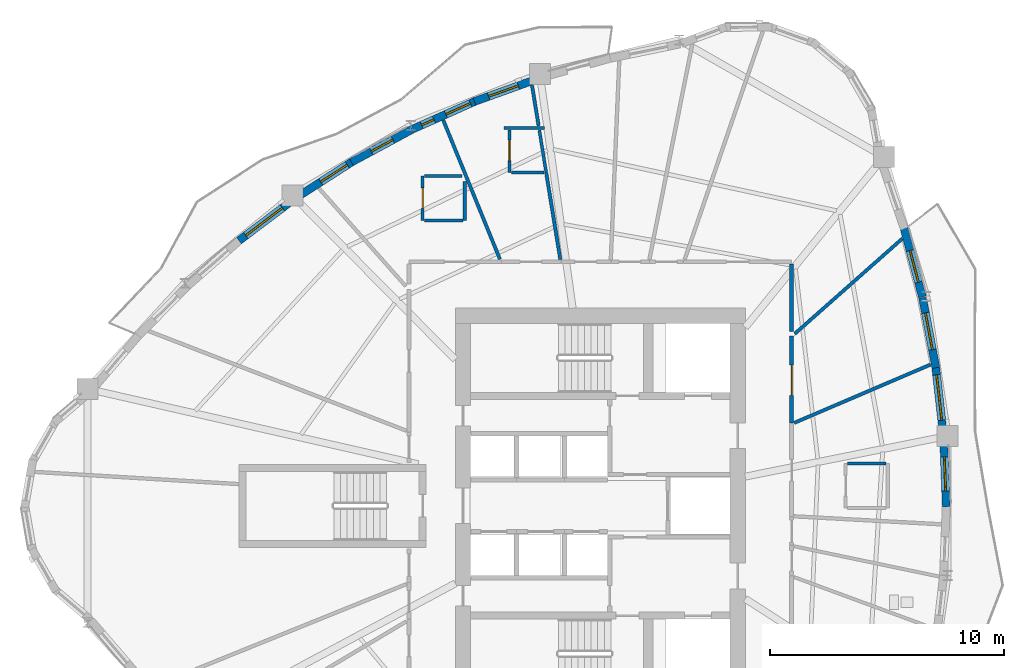
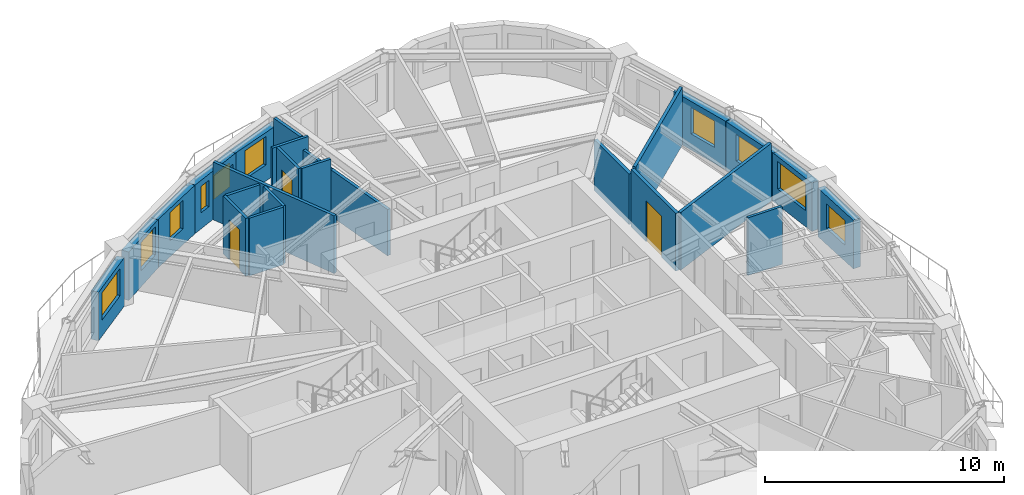
# One storey, part 8 of 13: 25 walls, 10 windows, 3 doors, 13 openings.
"""IFC4 building model written with IfcOpenShell, lengths in metres."""

import ifcopenshell
import ifcopenshell.guid

model = None  # the IFC model being written
_history = None  # IfcOwnerHistory: only IFC2X3 demands one
_inside = {}  # id of a spatial element -> (the spatial element, [elements in it])
_under = {}  # id of a project, library or spatial element -> (it, [spatial elements below it])
_declared = {}  # id of a project -> (the project, [libraries it declares])
_typed = {}  # id of a type object -> (the type object, [elements of that type])
_made_of = {}  # id of a material, layer set ... -> (it, [elements and type objects made of it])


def new_model(schema):
    """Start an empty IFC model of exactly this schema.

    Asked for "IFC4X3", IfcOpenShell would pick the latest addendum, in which some entities
    have other attributes; the version numbers below select the first issue.
    IFC2X3 requires an IfcOwnerHistory on every rooted entity: one is made here for all.
    """
    global model, _history
    if schema == "IFC4X3":
        model = ifcopenshell.file(schema_version=(4, 3, 0, 0))
    else:
        model = ifcopenshell.file(schema=schema)
    _inside.clear()
    _under.clear()
    _declared.clear()
    _typed.clear()
    _made_of.clear()
    _history = None
    if model.schema == "IFC2X3":
        org = make("IfcOrganization", Name="unknown")
        user = make(
            "IfcPersonAndOrganization",
            ThePerson=make("IfcPerson", FamilyName="unknown"),
            TheOrganization=org,
        )
        app = make(
            "IfcApplication",
            ApplicationDeveloper=org,
            Version="unknown",
            ApplicationFullName="unknown",
            ApplicationIdentifier="unknown",
        )
        _history = make(
            "IfcOwnerHistory",
            OwningUser=user,
            OwningApplication=app,
            ChangeAction="ADDED",
            CreationDate=0,
        )
    return model


def make(cls, **values):
    """One entity of the class cls with the attributes given. An attribute that is None is left unset."""
    return model.create_entity(
        cls, **{name: value for name, value in values.items() if value is not None}
    )


def rooted(cls, **values):
    """An entity with a GlobalId (a new one), such as an element, a storey or a relation."""
    return make(cls, GlobalId=ifcopenshell.guid.new(), OwnerHistory=_history, **values)


def si_unit(unit_type, name, prefix=None):
    """IfcSIUnit, for example si_unit("LENGTHUNIT", "METRE", prefix="MILLI")."""
    return make("IfcSIUnit", UnitType=unit_type, Prefix=prefix, Name=name)


def assignment(units):
    """IfcUnitAssignment: the units of a project."""
    return None if units is None else make("IfcUnitAssignment", Units=units)


def point(xyz):
    """IfcCartesianPoint."""
    return None if xyz is None else make("IfcCartesianPoint", Coordinates=xyz)


def direction(xyz):
    """IfcDirection."""
    return None if xyz is None else make("IfcDirection", DirectionRatios=xyz)


def frame(location, z_axis=None, x_axis=None):
    """IfcAxis2Placement3D, a coordinate frame: its origin and axes. An axis left out is left unset."""
    return make(
        "IfcAxis2Placement3D",
        Location=point(location),
        Axis=direction(z_axis),
        RefDirection=direction(x_axis),
    )


def frame_2d(location, x_axis=None):
    """IfcAxis2Placement2D, a coordinate frame in the plane: its origin and x axis."""
    return make(
        "IfcAxis2Placement2D", Location=point(location), RefDirection=direction(x_axis)
    )


def origin():
    """The frame at (0, 0, 0) with its axes left unset."""
    return frame((0.0, 0.0, 0.0))


def place(relative_to, where):
    """IfcLocalPlacement: puts the frame where relative to a parent placement (None: the world)."""
    return make(
        "IfcLocalPlacement", PlacementRelTo=relative_to, RelativePlacement=where
    )


def context(
    kind, dimensions, precision=None, world=None, true_north=None, identifier=None
):
    """IfcGeometricRepresentationContext, for example the 3D "Model" context."""
    return make(
        "IfcGeometricRepresentationContext",
        ContextIdentifier=identifier,
        ContextType=kind,
        CoordinateSpaceDimension=dimensions,
        Precision=precision,
        WorldCoordinateSystem=world,
        TrueNorth=true_north,
    )


def subcontext(parent, identifier, kind, view, scale=None):
    """IfcGeometricRepresentationSubContext, for example "Body" below "Model"."""
    return make(
        "IfcGeometricRepresentationSubContext",
        ContextIdentifier=identifier,
        ContextType=kind,
        ParentContext=parent,
        TargetScale=scale,
        TargetView=view,
    )


def project(units=None, contexts=None):
    """IfcProject with its units and contexts."""
    return rooted(
        "IfcProject",
        Name="project",
        RepresentationContexts=contexts,
        UnitsInContext=assignment(units),
    )


def spatial(cls, under=None, at=None, **own):
    """A site, building, storey or space (cls), placed at a placement, below another one or the project."""
    s = rooted(cls, ObjectPlacement=at, **own)
    if under is not None:
        _under.setdefault(under.id(), (under, []))[1].append(s)
    return s


def profile(cls, at=None, kind="AREA", **sizes):
    """A parametric profile (cls). Its sizes go by their IFC names, for example OverallWidth=200.0."""
    return make(cls, ProfileType=kind, Position=at, **sizes)


def rectangle(**sizes):
    """IfcRectangleProfileDef."""
    return profile("IfcRectangleProfileDef", **sizes)


def extrude(swept, where, along, depth):
    """IfcExtrudedAreaSolid: the profile swept, set in the frame where, extruded along a direction by depth."""
    return make(
        "IfcExtrudedAreaSolid",
        SweptArea=swept,
        Position=where,
        ExtrudedDirection=direction(along),
        Depth=depth,
    )


def shape(context_of_items, identifier, shape_type, items):
    """IfcShapeRepresentation: the items that make up one representation, for example the "Body"."""
    return make(
        "IfcShapeRepresentation",
        ContextOfItems=context_of_items,
        RepresentationIdentifier=identifier,
        RepresentationType=shape_type,
        Items=items,
    )


def source(mapping_origin, context_of_items, identifier, shape_type, items):
    """IfcRepresentationMap: a shape defined once, which mapped items show again and again."""
    return make(
        "IfcRepresentationMap",
        MappingOrigin=mapping_origin,
        MappedRepresentation=shape(context_of_items, identifier, shape_type, items),
    )


def transform(
    local_origin,
    x_axis=None,
    y_axis=None,
    z_axis=None,
    scale=None,
    scale2=None,
    scale3=None,
    uniform=True,
):
    """IfcCartesianTransformationOperator3D, or its non-uniform kind. x_axis, y_axis, z_axis: its Axis1, 2, 3."""
    if uniform:
        return make(
            "IfcCartesianTransformationOperator3D",
            Axis1=direction(x_axis),
            Axis2=direction(y_axis),
            LocalOrigin=point(local_origin),
            Scale=scale,
            Axis3=direction(z_axis),
        )
    return make(
        "IfcCartesianTransformationOperator3DnonUniform",
        Axis1=direction(x_axis),
        Axis2=direction(y_axis),
        LocalOrigin=point(local_origin),
        Scale=scale,
        Axis3=direction(z_axis),
        Scale2=scale2,
        Scale3=scale3,
    )


def mapped(mapping_source, mapping_target):
    """IfcMappedItem: shows the shape of a source again, moved by a transform."""
    return make(
        "IfcMappedItem", MappingSource=mapping_source, MappingTarget=mapping_target
    )


def material(Name=None, Category=None):
    """IfcMaterial."""
    return make("IfcMaterial", Name=Name, Category=Category)


def layer(
    of_material, thickness, ventilated=None, Name=None, Category=None, Priority=None
):
    """IfcMaterialLayer: one layer of a wall or slab, of a material (None: an air gap)."""
    return make(
        "IfcMaterialLayer",
        Material=of_material,
        LayerThickness=thickness,
        IsVentilated=ventilated,
        Name=Name,
        Category=Category,
        Priority=Priority,
    )


def layer_set(layers, Name=None):
    """IfcMaterialLayerSet."""
    return make("IfcMaterialLayerSet", MaterialLayers=layers, LayerSetName=Name)


def made_of(thing, what):
    """Note that an element or type object is made of a material, layer set ...; save() writes the relation."""
    if what is not None:
        _made_of.setdefault(what.id(), (what, []))[1].append(thing)
    return thing


def type_object(cls, material=None, **own):
    """A type object (cls), such as IfcWallType, which elements share."""
    return made_of(rooted(cls, **own), material)


def element(
    cls,
    number,
    at=None,
    inside=None,
    cuts=None,
    type_object=None,
    material=None,
    context=None,
    identifier="Body",
    shape_type=None,
    held_by="IfcProductDefinitionShape",
    body=None,
    shapes=None,
    **own,
):
    """One element of the class cls, such as IfcWall. Its Tag is "e" and its number.

    at: its placement. inside: the storey or other place that contains it. cuts: it is an
    opening in that element (IfcRelVoidsElement). A single representation is given by context,
    identifier, shape_type and body (its items); several are given by shapes. held_by: the class
    of the entity that holds the representations. save() writes the other relations.
    """
    e = rooted(cls, Tag="e%d" % number, ObjectPlacement=at, **own)
    if body is not None:
        shapes = [shape(context, identifier, shape_type, body)]
    if shapes is not None:
        e.Representation = make(held_by, Representations=shapes)
    if inside is not None:
        _inside.setdefault(inside.id(), (inside, []))[1].append(e)
    if cuts is not None:
        rooted(
            "IfcRelVoidsElement", RelatingBuildingElement=cuts, RelatedOpeningElement=e
        )
    if type_object is not None:
        _typed.setdefault(type_object.id(), (type_object, []))[1].append(e)
    return made_of(e, material)


def fill(opening, filler):
    """IfcRelFillsElement: the door or window that sits in an opening."""
    return rooted(
        "IfcRelFillsElement",
        RelatingOpeningElement=opening,
        RelatedBuildingElement=filler,
    )


def aggregate(whole, parts):
    """IfcRelAggregates: a whole, such as a stair, and the parts it consists of."""
    return rooted("IfcRelAggregates", RelatingObject=whole, RelatedObjects=parts)


def save(model, path):
    """Write the relations noted so far, then the file.

    IfcRelAggregates (storeys below a building ...), IfcRelContainedInSpatialStructure (elements
    in a storey), IfcRelDefinesByType, IfcRelAssociatesMaterial and IfcRelDeclares: one each for
    every whole, place, type object, material and project.
    """
    for whole, parts in _under.values():
        aggregate(whole, parts)
    for where, things in _inside.values():
        rooted(
            "IfcRelContainedInSpatialStructure",
            RelatedElements=things,
            RelatingStructure=where,
        )
    for kind, things in _typed.values():
        rooted("IfcRelDefinesByType", RelatedObjects=things, RelatingType=kind)
    for what, things in _made_of.values():
        rooted("IfcRelAssociatesMaterial", RelatedObjects=things, RelatingMaterial=what)
    for by, libraries in _declared.values():
        rooted("IfcRelDeclares", RelatingContext=by, RelatedDefinitions=libraries)
    model.write(path)


model = new_model("IFC4")

# Units and contexts
model_context = context("Model", 3, precision=1e-05, world=origin(), true_north=direction((0.0, 1.0)))
body_context = subcontext(model_context, "Body", "Model", "MODEL_VIEW")
ifc_project = project(units=[si_unit("LENGTHUNIT", "METRE"), si_unit("AREAUNIT", "SQUARE_METRE"), si_unit("VOLUMEUNIT", "CUBIC_METRE"), si_unit("PLANEANGLEUNIT", "RADIAN"), si_unit("MASSUNIT", "GRAM", prefix="KILO")], contexts=[model_context])

# Site, building, storey
site_placement = place(None, origin())
site = spatial("IfcSite", under=ifc_project, at=site_placement, CompositionType="ELEMENT")
building_placement = place(site_placement, origin())
building = spatial("IfcBuilding", under=site, at=building_placement, Name="Qafzar Sky-Pleat Residences", CompositionType="ELEMENT")
storey_placement = place(building_placement, frame((0.0, 0.0, 102.39990234375)))
storey = spatial("IfcBuildingStorey", under=building, at=storey_placement, Name="L30", CompositionType="ELEMENT", Elevation=102.39990234375)

# Wall, opening, door
ifc_material_1 = material(Name="Acoustic gypsum plasterboard partition", Category="gypsum")
ifc_layer_1 = layer(ifc_material_1, 0.159912109375)
ifc_layer_set_1 = layer_set([ifc_layer_1], Name="Acoustic gypsum plasterboard partition")
wall_type_1 = type_object("IfcWallType", Name="PART-COR-160", PredefinedType="PARTITIONING", material=ifc_layer_set_1)
wall_1_placement = place(storey_placement, frame((38.530029296875, 33.2548828125, 0.0), z_axis=(0.0, 0.0, 1.0), x_axis=(0.0, -1.0, 0.0)))
wall_1 = element("IfcWall", 1, at=wall_1_placement, inside=storey, type_object=wall_type_1, Name="L30 Partition Wall PART-L30-PW-007", PredefinedType="PARTITIONING", context=body_context, shape_type="SweptSolid", body=[
    extrude(rectangle(XDim=3.725830078125, YDim=0.159912109375, at=frame_2d((1.86279296875, 0.0))), origin(), (0.0, 0.0, 1.0), 2.9501953125),
])
opening_1_placement = place(wall_1_placement, frame((1.238525390625, 0.0, 0.0)))
opening_1 = element("IfcOpeningElement", 2, at=opening_1_placement, cuts=wall_1, Name="Opening ID-05", PredefinedType="OPENING", context=body_context, shape_type="SweptSolid", body=[
    extrude(rectangle(XDim=1.300048828125, YDim=2.10009765625, at=frame_2d((0.64990234375, 1.050048828125))), frame((0.0, 0.08984375, 0.0), z_axis=(0.0, -1.0, 0.0), x_axis=(1.0, 0.0, 0.0)), (0.0, 0.0, 1.0), 0.179931640625),
])
ifc_material_2 = material(Name="Timber-faced fire door", Category="wood")
door_type_1 = type_object("IfcDoorType", Name="DR-LNG-1300", OperationType="DOUBLE_DOOR_SINGLE_SWING", PredefinedType="DOOR", material=ifc_material_2)
shared_shape_1 = source(origin(), body_context, "Body", "SweptSolid", [
    extrude(rectangle(XDim=1.300048828125, YDim=2.10009765625, at=frame_2d((0.64990234375, 1.050048828125))), frame((0.0, 0.02490234375, 0.0), z_axis=(0.0, -1.0, 0.0), x_axis=(1.0, 0.0, 0.0)), (0.0, 0.0, 1.0), 0.050048828125),
])
door_1_placement = place(opening_1_placement, origin())
door_1 = element("IfcDoor", 3, at=door_1_placement, inside=storey, type_object=door_type_1, Name="L30 Communal Kitchen Door", OperationType="DOUBLE_DOOR_SINGLE_SWING", OverallHeight=2.10009765625, OverallWidth=1.300048828125, PredefinedType="DOOR", context=body_context, shape_type="MappedRepresentation", body=[
    mapped(shared_shape_1, transform((0.0, 0.0, 0.0), x_axis=(1.0, 0.0, 0.0), y_axis=(0.0, 1.0, 0.0), z_axis=(0.0, 0.0, 1.0), scale=1.0)),
])
fill(opening_1, door_1)

# Walls
wall_2_placement = place(storey_placement, frame((38.530029296875, 33.445556640625, 0.0), z_axis=(0.0, 0.0, 1.0), x_axis=(0.0, 1.0, 0.0)))
element("IfcWall", 4, at=wall_2_placement, inside=storey, type_object=wall_type_1, Name="L30 Partition Wall PART-L30-PW-051", PredefinedType="PARTITIONING", context=body_context, shape_type="SweptSolid", body=[
    extrude(rectangle(XDim=2.896484375, YDim=0.159912109375, at=frame_2d((1.4482421875, 0.0))), origin(), (0.0, 0.0, 1.0), 2.588134765625),
])
ifc_layer_2 = layer(ifc_material_1, 0.14501953125)
ifc_layer_set_2 = layer_set([ifc_layer_2], Name="Acoustic gypsum plasterboard partition")
wall_type_2 = type_object("IfcWallType", Name="PART-UNIT-145", PredefinedType="PARTITIONING", material=ifc_layer_set_2)
wall_3_placement = place(storey_placement, frame((23.6328125, 42.4931640625, 0.0), z_axis=(0.0, 0.0, 1.0), x_axis=(0.37719666663, -0.926133184096, 0.0)))
element("IfcWall", 5, at=wall_3_placement, inside=storey, type_object=wall_type_2, Name="L30 Partition Wall PART-L30-PW-041", PredefinedType="PARTITIONING", context=body_context, shape_type="SweptSolid", body=[
    extrude(rectangle(XDim=6.422607421875, YDim=0.14501953125, at=frame_2d((3.21142578125, 0.0))), origin(), (0.0, 0.0, 1.0), 2.9501953125),
])
wall_4_placement = place(storey_placement, frame((38.64599609375, 29.54638671875, 0.0), z_axis=(0.0, 0.0, 1.0), x_axis=(0.919441504603, 0.393226804293, 0.0)))
element("IfcWall", 6, at=wall_4_placement, inside=storey, type_object=wall_type_2, Name="L30 Partition Wall PART-L30-PW-042", PredefinedType="PARTITIONING", context=body_context, shape_type="SweptSolid", body=[
    extrude(rectangle(XDim=6.3408203125, YDim=0.14501953125, at=frame_2d((3.17041015625, 0.0))), origin(), (0.0, 0.0, 1.0), 2.9501953125),
])
wall_5_placement = place(storey_placement, frame((38.6640625, 33.3544921875, 0.0), z_axis=(0.0, 0.0, 1.0), x_axis=(0.749069296105, 0.662491652501, 0.0)))
element("IfcWall", 7, at=wall_5_placement, inside=storey, type_object=wall_type_2, Name="L30 Partition Wall PART-L30-PW-046", PredefinedType="PARTITIONING", context=body_context, shape_type="SweptSolid", body=[
    extrude(rectangle(XDim=6.150146484375, YDim=0.14501953125, at=frame_2d((3.0751953125, 0.0))), origin(), (0.0, 0.0, 1.0), 2.9501953125),
])
wall_6_placement = place(storey_placement, frame((28.035888671875, 40.24609375, 0.0), z_axis=(0.0, 0.0, 1.0), x_axis=(0.160412651813, -0.987050039835, 0.0)))
element("IfcWall", 8, at=wall_6_placement, inside=storey, type_object=wall_type_2, Name="L30 Partition Wall PART-L30-PW-048", PredefinedType="PARTITIONING", context=body_context, shape_type="SweptSolid", body=[
    extrude(rectangle(XDim=3.765380859375, YDim=0.14501953125, at=frame_2d((1.8828125, 0.0))), origin(), (0.0, 0.0, 1.0), 2.3681640625),
])
wall_7_placement = place(storey_placement, frame((27.430908203125, 43.97119140625, 0.0), z_axis=(0.0, 0.0, 1.0), x_axis=(0.160707234414, -0.987002119961, 0.0)))
element("IfcWall", 9, at=wall_7_placement, inside=storey, type_object=wall_type_2, Name="L30 Partition Wall PART-L30-PW-060", PredefinedType="PARTITIONING", context=body_context, shape_type="SweptSolid", body=[
    extrude(rectangle(XDim=1.74853515625, YDim=0.14501953125, at=frame_2d((0.874267578125, 0.0))), origin(), (0.0, 0.0, 1.0), 2.9501953125),
])

# Wall, opening, door
ifc_material_3 = material(Name="Moisture-resistant gypsum partition", Category="gypsum")
ifc_layer_3 = layer(ifc_material_3, 0.1298828125)
ifc_layer_set_3 = layer_set([ifc_layer_3], Name="Moisture-resistant gypsum partition")
wall_type_3 = type_object("IfcWallType", Name="PART-WET-130", PredefinedType="PARTITIONING", material=ifc_layer_set_3)
wall_8_placement = place(storey_placement, frame((26.468994140625, 42.072998046875, 0.0), z_axis=(0.0, 0.0, 1.0), x_axis=(0.0, -1.0, 0.0)))
wall_8 = element("IfcWall", 10, at=wall_8_placement, inside=storey, type_object=wall_type_3, Name="L30 Partition Wall PART-L30-PW-022", PredefinedType="PARTITIONING", context=body_context, shape_type="SweptSolid", body=[
    extrude(rectangle(XDim=1.826904296875, YDim=0.1298828125, at=frame_2d((0.91357421875, 0.0))), origin(), (0.0, 0.0, 1.0), 2.9501953125),
])
opening_2_placement = place(wall_8_placement, frame((0.43701171875, 0.0, 0.0)))
opening_2 = element("IfcOpeningElement", 11, at=opening_2_placement, cuts=wall_8, Name="Opening ID-07", PredefinedType="OPENING", context=body_context, shape_type="SweptSolid", body=[
    extrude(rectangle(XDim=0.8798828125, YDim=2.050048828125, at=frame_2d((0.43994140625, 1.02490234375))), frame((0.0, 0.074951171875, 0.0), z_axis=(0.0, -1.0, 0.0), x_axis=(1.0, 0.0, 0.0)), (0.0, 0.0, 1.0), 0.14990234375),
])
door_type_2 = type_object("IfcDoorType", Name="DR-WET-880", OperationType="NOTDEFINED", PredefinedType="DOOR", material=ifc_material_2)
shared_shape_2 = source(origin(), body_context, "Body", "SweptSolid", [
    extrude(rectangle(XDim=0.8798828125, YDim=2.050048828125, at=frame_2d((0.43994140625, 1.02490234375))), frame((0.0, 0.02490234375, 0.0), z_axis=(0.0, -1.0, 0.0), x_axis=(1.0, 0.0, 0.0)), (0.0, 0.0, 1.0), 0.050048828125),
])
door_2_placement = place(opening_2_placement, origin())
door_2 = element("IfcDoor", 12, at=door_2_placement, inside=storey, type_object=door_type_2, Name="L30 En-suite Bathroom 8 Door", OperationType="SINGLE_SWING_RIGHT", OverallHeight=2.050048828125, OverallWidth=0.8798828125, PredefinedType="DOOR", context=body_context, shape_type="MappedRepresentation", body=[
    mapped(shared_shape_2, transform((0.0, 0.0, 0.0), x_axis=(1.0, 0.0, 0.0), y_axis=(0.0, 1.0, 0.0), z_axis=(0.0, 0.0, 1.0), scale=1.0)),
])
fill(opening_2, door_2)

wall_9_placement = place(storey_placement, frame((22.7529296875, 40.10693359375, 0.0), z_axis=(0.0, 0.0, 1.0), x_axis=(0.0, -1.0, 0.0)))
wall_9 = element("IfcWall", 13, at=wall_9_placement, inside=storey, type_object=wall_type_3, Name="L30 Partition Wall PART-L30-PW-023", PredefinedType="PARTITIONING", context=body_context, shape_type="SweptSolid", body=[
    extrude(rectangle(XDim=1.89990234375, YDim=0.1298828125, at=frame_2d((0.949951171875, 0.0))), origin(), (0.0, 0.0, 1.0), 2.9501953125),
])
opening_3_placement = place(wall_9_placement, frame((0.510009765625, 0.0, 0.0)))
opening_3 = element("IfcOpeningElement", 14, at=opening_3_placement, cuts=wall_9, Name="Opening ID-07", PredefinedType="OPENING", context=body_context, shape_type="SweptSolid", body=[
    extrude(rectangle(XDim=0.8798828125, YDim=2.050048828125, at=frame_2d((0.43994140625, 1.02490234375))), frame((0.0, 0.074951171875, 0.0), z_axis=(0.0, -1.0, 0.0), x_axis=(1.0, 0.0, 0.0)), (0.0, 0.0, 1.0), 0.14990234375),
])
door_3_placement = place(opening_3_placement, origin())
door_3 = element("IfcDoor", 15, at=door_3_placement, inside=storey, type_object=door_type_2, Name="L30 En-suite Bathroom 10 Door", OperationType="SINGLE_SWING_LEFT", OverallHeight=2.050048828125, OverallWidth=0.8798828125, PredefinedType="DOOR", context=body_context, shape_type="MappedRepresentation", body=[
    mapped(shared_shape_2, transform((0.0, 0.0, 0.0), x_axis=(1.0, 0.0, 0.0), y_axis=(0.0, 1.0, 0.0), z_axis=(0.0, 0.0, 1.0), scale=1.0)),
])
fill(opening_3, door_3)

# Walls
wall_10_placement = place(storey_placement, frame((27.741455078125, 42.062744140625, 0.0), z_axis=(0.0, 0.0, 1.0), x_axis=(0.160081724147, -0.98710376435, 0.0)))
element("IfcWall", 16, at=wall_10_placement, inside=storey, type_object=wall_type_3, Name="L30 Partition Wall PART-L30-PW-056", PredefinedType="PARTITIONING", context=body_context, shape_type="SweptSolid", body=[
    extrude(rectangle(XDim=1.825439453125, YDim=0.1298828125, at=frame_2d((0.91259765625, 0.0))), origin(), (0.0, 0.0, 1.0), 2.3681640625),
])
wall_11_placement = place(storey_placement, frame((24.552978515625, 38.20703125, 0.0), z_axis=(0.0, 0.0, 1.0), x_axis=(0.0, 1.0, 0.0)))
element("IfcWall", 17, at=wall_11_placement, inside=storey, type_object=wall_type_3, Name="L30 Partition Wall PART-L30-PW-059", PredefinedType="PARTITIONING", context=body_context, shape_type="SweptSolid", body=[
    extrude(rectangle(XDim=1.659912109375, YDim=0.1298828125, at=frame_2d((0.830078125, 0.0))), origin(), (0.0, 0.0, 1.0), 2.9501953125),
])
wall_12_placement = place(storey_placement, frame((40.9150390625, 27.802001953125, 0.0), z_axis=(0.0, 0.0, 1.0), x_axis=(1.0, 0.0, 0.0)))
element("IfcWall", 18, at=wall_12_placement, inside=storey, type_object=wall_type_3, Name="L30 Partition Wall PART-L30-PW-061", PredefinedType="PARTITIONING", context=body_context, shape_type="SweptSolid", body=[
    extrude(rectangle(XDim=1.654052734375, YDim=0.1298828125, at=frame_2d((0.8271484375, 0.0))), origin(), (0.0, 0.0, 1.0), 2.9501953125),
])
wall_13_placement = place(storey_placement, frame((22.825927734375, 40.10693359375, 0.0), z_axis=(0.0, 0.0, 1.0), x_axis=(1.0, 0.0, 0.0)))
element("IfcWall", 19, at=wall_13_placement, inside=storey, type_object=wall_type_3, Name="L30 Partition Wall PART-L30-PW-064", PredefinedType="PARTITIONING", context=body_context, shape_type="SweptSolid", body=[
    extrude(rectangle(XDim=1.6142578125, YDim=0.1298828125, at=frame_2d((0.80712890625, 0.0))), origin(), (0.0, 0.0, 1.0), 2.9501953125),
])
wall_14_placement = place(storey_placement, frame((22.825927734375, 38.20703125, 0.0), z_axis=(0.0, 0.0, 1.0), x_axis=(1.0, 0.0, 0.0)))
element("IfcWall", 20, at=wall_14_placement, inside=storey, type_object=wall_type_3, Name="L30 Partition Wall PART-L30-PW-065", PredefinedType="PARTITIONING", context=body_context, shape_type="SweptSolid", body=[
    extrude(rectangle(XDim=1.654052734375, YDim=0.1298828125, at=frame_2d((0.8271484375, 0.0))), origin(), (0.0, 0.0, 1.0), 2.9501953125),
])
wall_15_placement = place(storey_placement, frame((26.5419921875, 40.24609375, 0.0), z_axis=(0.0, 0.0, 1.0), x_axis=(1.0, 0.0, 0.0)))
element("IfcWall", 21, at=wall_15_placement, inside=storey, type_object=wall_type_3, Name="L30 Partition Wall PART-L30-PW-074", PredefinedType="PARTITIONING", context=body_context, shape_type="SweptSolid", body=[
    extrude(rectangle(XDim=1.402099609375, YDim=0.1298828125, at=frame_2d((0.701171875, 0.0))), origin(), (0.0, 0.0, 1.0), 2.9501953125),
])
wall_16_placement = place(storey_placement, frame((26.22900390625, 42.14599609375, 0.0), z_axis=(0.0, 0.0, 1.0), x_axis=(1.0, 0.0, 0.0)))
element("IfcWall", 22, at=wall_16_placement, inside=storey, type_object=wall_type_3, Name="L30 Partition Wall PART-L30-PW-078", PredefinedType="PARTITIONING", context=body_context, shape_type="SweptSolid", body=[
    extrude(rectangle(XDim=1.739013671875, YDim=0.1298828125, at=frame_2d((0.86962890625, 0.0))), origin(), (0.0, 0.0, 1.0), 2.9501953125),
])

# Wall, opening, window
ifc_material_4 = material(Name="Precast concrete C40/50 with honed Riyadh limestone", Category="concrete")
ifc_layer_4 = layer(ifc_material_4, 0.340087890625)
ifc_layer_set_4 = layer_set([ifc_layer_4], Name="Precast concrete C40/50 with honed Riyadh limestone")
wall_type_4 = type_object("IfcWallType", Name="WALL-EXT-340", PredefinedType="SOLIDWALL", material=ifc_layer_set_4)
wall_17_placement = place(storey_placement, frame((45.14453125, 25.95556640625, 0.0), z_axis=(0.0, 0.0, 1.0), x_axis=(-0.038000333161, 0.9992777265, 0.0)))
wall_17 = element("IfcWall", 23, at=wall_17_placement, inside=storey, type_object=wall_type_4, Name="L30 Limestone Facade Wall 28", PredefinedType="SOLIDWALL", context=body_context, shape_type="SweptSolid", body=[
    extrude(rectangle(XDim=2.794677734375, YDim=0.340087890625, at=frame_2d((1.3974609375, 0.0))), origin(), (0.0, 0.0, 1.0), 2.47998046875),
])
opening_4_placement = place(wall_17_placement, frame((0.677490234375, 0.0, 0.820068359375)))
opening_4 = element("IfcOpeningElement", 24, at=opening_4_placement, cuts=wall_17, Name="Opening WN-15", PredefinedType="OPENING", context=body_context, shape_type="SweptSolid", body=[
    extrude(rectangle(XDim=1.449951171875, YDim=1.25, at=frame_2d((0.72509765625, 0.625))), frame((0.0, 0.18017578125, 0.0), z_axis=(0.0, -1.0, 0.0), x_axis=(1.0, 0.0, 0.0)), (0.0, 0.0, 1.0), 0.360107421875),
])
ifc_material_5 = material(Name="Solar-control low-E glass in bronze aluminium frame", Category="glass")
window_type_1 = type_object("IfcWindowType", Name="WIN-15", PartitioningType="SINGLE_PANEL", PredefinedType="WINDOW", material=ifc_material_5)
shared_shape_3 = source(origin(), body_context, "Body", "SweptSolid", [
    extrude(rectangle(XDim=1.449951171875, YDim=1.25, at=frame_2d((0.72509765625, 0.625))), frame((0.0, 0.030029296875, 0.0), z_axis=(0.0, -1.0, 0.0), x_axis=(1.0, 0.0, 0.0)), (0.0, 0.0, 1.0), 0.06005859375),
])
window_1_placement = place(opening_4_placement, origin())
window_1 = element("IfcWindow", 25, at=window_1_placement, inside=storey, type_object=window_type_1, Name="L30 Punched Facade Window 28", OverallHeight=1.25, OverallWidth=1.449951171875, PartitioningType="SINGLE_PANEL", PredefinedType="WINDOW", context=body_context, shape_type="MappedRepresentation", body=[
    mapped(shared_shape_3, transform((0.0, 0.0, 0.0), x_axis=(1.0, 0.0, 0.0), y_axis=(0.0, 1.0, 0.0), z_axis=(0.0, 0.0, 1.0), scale=1.0)),
])
fill(opening_4, window_1)

wall_18_placement = place(storey_placement, frame((45.00439453125, 29.194091796875, 0.0), z_axis=(0.0, 0.0, 1.0), x_axis=(-0.113223342564, 0.993569562083, 0.0)))
wall_18 = element("IfcWall", 26, at=wall_18_placement, inside=storey, type_object=wall_type_4, Name="L30 Limestone Facade Wall 29", PredefinedType="SOLIDWALL", context=body_context, shape_type="SweptSolid", body=[
    extrude(rectangle(XDim=2.811767578125, YDim=0.340087890625, at=frame_2d((1.40576171875, 0.0))), origin(), (0.0, 0.0, 1.0), 2.47998046875),
])
opening_5_placement = place(wall_18_placement, frame((0.466064453125, 0.0, 0.820068359375)))
opening_5 = element("IfcOpeningElement", 27, at=opening_5_placement, cuts=wall_18, Name="Opening WN-08", PredefinedType="OPENING", context=body_context, shape_type="SweptSolid", body=[
    extrude(rectangle(XDim=1.949951171875, YDim=1.39990234375, at=frame_2d((0.97509765625, 0.699951171875))), frame((0.0, 0.18017578125, 0.0), z_axis=(0.0, -1.0, 0.0), x_axis=(1.0, 0.0, 0.0)), (0.0, 0.0, 1.0), 0.360107421875),
])
window_type_2 = type_object("IfcWindowType", Name="WIN-08", PartitioningType="DOUBLE_PANEL_VERTICAL", PredefinedType="WINDOW", material=ifc_material_5)
shared_shape_4 = source(origin(), body_context, "Body", "SweptSolid", [
    extrude(rectangle(XDim=1.949951171875, YDim=1.39990234375, at=frame_2d((0.97509765625, 0.699951171875))), frame((0.0, 0.030029296875, 0.0), z_axis=(0.0, -1.0, 0.0), x_axis=(1.0, 0.0, 0.0)), (0.0, 0.0, 1.0), 0.06005859375),
])
window_2_placement = place(opening_5_placement, origin())
window_2 = element("IfcWindow", 28, at=window_2_placement, inside=storey, type_object=window_type_2, Name="L30 Punched Facade Window 29", OverallHeight=1.39990234375, OverallWidth=1.949951171875, PartitioningType="SINGLE_PANEL", PredefinedType="WINDOW", context=body_context, shape_type="MappedRepresentation", body=[
    mapped(shared_shape_4, transform((0.0, 0.0, 0.0), x_axis=(1.0, 0.0, 0.0), y_axis=(0.0, 1.0, 0.0), z_axis=(0.0, 0.0, 1.0), scale=1.0)),
])
fill(opening_5, window_2)

wall_19_placement = place(storey_placement, frame((44.699462890625, 31.900146484375, 0.0), z_axis=(0.0, 0.0, 1.0), x_axis=(-0.186689944156, 0.982418884566, 0.0)))
wall_19 = element("IfcWall", 29, at=wall_19_placement, inside=storey, type_object=wall_type_4, Name="L30 Limestone Facade Wall 30", PredefinedType="SOLIDWALL", context=body_context, shape_type="SweptSolid", body=[
    extrude(rectangle(XDim=3.05615234375, YDim=0.340087890625, at=frame_2d((1.528076171875, 0.0))), origin(), (0.0, 0.0, 1.0), 2.47998046875),
])
opening_6_placement = place(wall_19_placement, frame((0.791015625, 0.0, 0.820068359375)))
opening_6 = element("IfcOpeningElement", 30, at=opening_6_placement, cuts=wall_19, Name="Opening WN-09", PredefinedType="OPENING", context=body_context, shape_type="SweptSolid", body=[
    extrude(rectangle(XDim=1.60009765625, YDim=1.35009765625, at=frame_2d((0.800048828125, 0.675048828125))), frame((0.0, 0.18017578125, 0.0), z_axis=(0.0, -1.0, 0.0), x_axis=(1.0, 0.0, 0.0)), (0.0, 0.0, 1.0), 0.360107421875),
])
window_type_3 = type_object("IfcWindowType", Name="WIN-09", PartitioningType="DOUBLE_PANEL_VERTICAL", PredefinedType="WINDOW", material=ifc_material_5)
shared_shape_5 = source(origin(), body_context, "Body", "SweptSolid", [
    extrude(rectangle(XDim=1.60009765625, YDim=1.35009765625, at=frame_2d((0.800048828125, 0.675048828125))), frame((0.0, 0.030029296875, 0.0), z_axis=(0.0, -1.0, 0.0), x_axis=(1.0, 0.0, 0.0)), (0.0, 0.0, 1.0), 0.06005859375),
])
window_3_placement = place(opening_6_placement, origin())
window_3 = element("IfcWindow", 31, at=window_3_placement, inside=storey, type_object=window_type_3, Name="L30 Punched Facade Window 30", OverallHeight=1.35009765625, OverallWidth=1.60009765625, PartitioningType="SINGLE_PANEL", PredefinedType="WINDOW", context=body_context, shape_type="MappedRepresentation", body=[
    mapped(shared_shape_5, transform((0.0, 0.0, 0.0), x_axis=(1.0, 0.0, 0.0), y_axis=(0.0, 1.0, 0.0), z_axis=(0.0, 0.0, 1.0), scale=1.0)),
])
fill(opening_6, window_3)

wall_20_placement = place(storey_placement, frame((44.122802734375, 34.9296875, 0.0), z_axis=(0.0, 0.0, 1.0), x_axis=(-0.257080487516, 0.96638999526, 0.0)))
wall_20 = element("IfcWall", 32, at=wall_20_placement, inside=storey, type_object=wall_type_4, Name="L30 Limestone Facade Wall 31", PredefinedType="SOLIDWALL", context=body_context, shape_type="SweptSolid", body=[
    extrude(rectangle(XDim=3.1064453125, YDim=0.340087890625, at=frame_2d((1.55322265625, 0.0))), origin(), (0.0, 0.0, 1.0), 2.47998046875),
])
opening_7_placement = place(wall_20_placement, frame((0.652099609375, 0.0, 0.820068359375)))
opening_7 = element("IfcOpeningElement", 33, at=opening_7_placement, cuts=wall_20, Name="Opening WN-10", PredefinedType="OPENING", context=body_context, shape_type="SweptSolid", body=[
    extrude(rectangle(XDim=1.39990234375, YDim=1.35009765625, at=frame_2d((0.699951171875, 0.675048828125))), frame((0.0, 0.18017578125, 0.0), z_axis=(0.0, -1.0, 0.0), x_axis=(1.0, 0.0, 0.0)), (0.0, 0.0, 1.0), 0.360107421875),
])
window_type_4 = type_object("IfcWindowType", Name="WIN-10", PartitioningType="SINGLE_PANEL", PredefinedType="WINDOW", material=ifc_material_5)
shared_shape_6 = source(origin(), body_context, "Body", "SweptSolid", [
    extrude(rectangle(XDim=1.39990234375, YDim=1.35009765625, at=frame_2d((0.699951171875, 0.675048828125))), frame((0.0, 0.030029296875, 0.0), z_axis=(0.0, -1.0, 0.0), x_axis=(1.0, 0.0, 0.0)), (0.0, 0.0, 1.0), 0.06005859375),
])
window_4_placement = place(opening_7_placement, origin())
window_4 = element("IfcWindow", 34, at=window_4_placement, inside=storey, type_object=window_type_4, Name="L30 Punched Facade Window 31", OverallHeight=1.35009765625, OverallWidth=1.39990234375, PartitioningType="SINGLE_PANEL", PredefinedType="WINDOW", context=body_context, shape_type="MappedRepresentation", body=[
    mapped(shared_shape_6, transform((0.0, 0.0, 0.0), x_axis=(1.0, 0.0, 0.0), y_axis=(0.0, 1.0, 0.0), z_axis=(0.0, 0.0, 1.0), scale=1.0)),
])
fill(opening_7, window_4)

wall_21_placement = place(storey_placement, frame((27.60302734375, 44.236083984375, 0.0), z_axis=(0.0, 0.0, 1.0), x_axis=(-0.941110715193, -0.33809853852, 0.0)))
wall_21 = element("IfcWall", 35, at=wall_21_placement, inside=storey, type_object=wall_type_4, Name="L30 Limestone Facade Wall 41", PredefinedType="SOLIDWALL", context=body_context, shape_type="SweptSolid", body=[
    extrude(rectangle(XDim=2.798828125, YDim=0.340087890625, at=frame_2d((1.3994140625, 0.0))), origin(), (0.0, 0.0, 1.0), 2.47998046875),
])
opening_8_placement = place(wall_21_placement, frame((0.807373046875, 0.0, 0.820068359375)))
opening_8 = element("IfcOpeningElement", 36, at=opening_8_placement, cuts=wall_21, Name="Opening WN-04", PredefinedType="OPENING", context=body_context, shape_type="SweptSolid", body=[
    extrude(rectangle(XDim=1.35009765625, YDim=1.449951171875, at=frame_2d((0.675048828125, 0.72509765625))), frame((0.0, 0.18017578125, 0.0), z_axis=(0.0, -1.0, 0.0), x_axis=(1.0, 0.0, 0.0)), (0.0, 0.0, 1.0), 0.360107421875),
])
window_type_5 = type_object("IfcWindowType", Name="WIN-04", PartitioningType="SINGLE_PANEL", PredefinedType="WINDOW", material=ifc_material_5)
shared_shape_7 = source(origin(), body_context, "Body", "SweptSolid", [
    extrude(rectangle(XDim=1.35009765625, YDim=1.449951171875, at=frame_2d((0.675048828125, 0.72509765625))), frame((0.0, 0.030029296875, 0.0), z_axis=(0.0, -1.0, 0.0), x_axis=(1.0, 0.0, 0.0)), (0.0, 0.0, 1.0), 0.06005859375),
])
window_5_placement = place(opening_8_placement, origin())
window_5 = element("IfcWindow", 37, at=window_5_placement, inside=storey, type_object=window_type_5, Name="L30 Punched Facade Window 41", OverallHeight=1.449951171875, OverallWidth=1.35009765625, PartitioningType="SINGLE_PANEL", PredefinedType="WINDOW", context=body_context, shape_type="MappedRepresentation", body=[
    mapped(shared_shape_7, transform((0.0, 0.0, 0.0), x_axis=(1.0, 0.0, 0.0), y_axis=(0.0, 1.0, 0.0), z_axis=(0.0, 0.0, 1.0), scale=1.0)),
])
fill(opening_8, window_5)

# Wall, openings, windows
wall_22_placement = place(storey_placement, frame((25.05126953125, 43.32275390625, 0.0), z_axis=(0.0, 0.0, 1.0), x_axis=(-0.913432176814, -0.406990980686, 0.0)))
wall_22 = element("IfcWall", 38, at=wall_22_placement, inside=storey, type_object=wall_type_4, Name="L30 Limestone Facade Wall 42", PredefinedType="SOLIDWALL", context=body_context, shape_type="SweptSolid", body=[
    extrude(rectangle(XDim=2.975341796875, YDim=0.340087890625, at=frame_2d((1.48779296875, 0.0))), origin(), (0.0, 0.0, 1.0), 2.47998046875),
])
opening_9_placement = place(wall_22_placement, frame((0.28125, 0.0, 0.820068359375)))
opening_9 = element("IfcOpeningElement", 39, at=opening_9_placement, cuts=wall_22, Name="Opening WN-16", PredefinedType="OPENING", context=body_context, shape_type="SweptSolid", body=[
    extrude(rectangle(XDim=1.14990234375, YDim=1.199951171875, at=frame_2d((0.574951171875, 0.60009765625))), frame((0.0, 0.18017578125, 0.0), z_axis=(0.0, -1.0, 0.0), x_axis=(1.0, 0.0, 0.0)), (0.0, 0.0, 1.0), 0.360107421875),
])
opening_10_placement = place(wall_22_placement, frame((1.984130859375, 0.0, 0.820068359375)))
opening_10 = element("IfcOpeningElement", 40, at=opening_10_placement, cuts=wall_22, Name="Opening WN-17", PredefinedType="OPENING", context=body_context, shape_type="SweptSolid", body=[
    extrude(rectangle(XDim=0.580078125, YDim=1.35009765625, at=frame_2d((0.2900390625, 0.675048828125))), frame((0.0, 0.18017578125, 0.0), z_axis=(0.0, -1.0, 0.0), x_axis=(1.0, 0.0, 0.0)), (0.0, 0.0, 1.0), 0.360107421875),
])
window_type_6 = type_object("IfcWindowType", Name="WIN-17", PartitioningType="SINGLE_PANEL", PredefinedType="WINDOW", material=ifc_material_5)
shared_shape_8 = source(origin(), body_context, "Body", "SweptSolid", [
    extrude(rectangle(XDim=0.580078125, YDim=1.35009765625, at=frame_2d((0.2900390625, 0.675048828125))), frame((0.0, 0.030029296875, 0.0), z_axis=(0.0, -1.0, 0.0), x_axis=(1.0, 0.0, 0.0)), (0.0, 0.0, 1.0), 0.06005859375),
])
window_6_placement = place(opening_10_placement, origin())
window_6 = element("IfcWindow", 41, at=window_6_placement, inside=storey, type_object=window_type_6, Name="L30 Punched Facade Window 42-2", OverallHeight=1.35009765625, OverallWidth=0.580078125, PartitioningType="SINGLE_PANEL", PredefinedType="WINDOW", context=body_context, shape_type="MappedRepresentation", body=[
    mapped(shared_shape_8, transform((0.0, 0.0, 0.0), x_axis=(1.0, 0.0, 0.0), y_axis=(0.0, 1.0, 0.0), z_axis=(0.0, 0.0, 1.0), scale=1.0)),
])
fill(opening_10, window_6)
window_type_7 = type_object("IfcWindowType", Name="WIN-16", PartitioningType="SINGLE_PANEL", PredefinedType="WINDOW", material=ifc_material_5)
shared_shape_9 = source(origin(), body_context, "Body", "SweptSolid", [
    extrude(rectangle(XDim=1.14990234375, YDim=1.199951171875, at=frame_2d((0.574951171875, 0.60009765625))), frame((0.0, 0.030029296875, 0.0), z_axis=(0.0, -1.0, 0.0), x_axis=(1.0, 0.0, 0.0)), (0.0, 0.0, 1.0), 0.06005859375),
])
window_7_placement = place(opening_9_placement, origin())
window_7 = element("IfcWindow", 42, at=window_7_placement, inside=storey, type_object=window_type_7, Name="L30 Punched Facade Window 42", OverallHeight=1.199951171875, OverallWidth=1.14990234375, PartitioningType="SINGLE_PANEL", PredefinedType="WINDOW", context=body_context, shape_type="MappedRepresentation", body=[
    mapped(shared_shape_9, transform((0.0, 0.0, 0.0), x_axis=(1.0, 0.0, 0.0), y_axis=(0.0, 1.0, 0.0), z_axis=(0.0, 0.0, 1.0), scale=1.0)),
])
fill(opening_9, window_7)

# Wall, opening, window
wall_23_placement = place(storey_placement, frame((22.30908203125, 42.099609375, 0.0), z_axis=(0.0, 0.0, 1.0), x_axis=(-0.880081290793, -0.474823042402, 0.0)))
wall_23 = element("IfcWall", 43, at=wall_23_placement, inside=storey, type_object=wall_type_4, Name="L30 Limestone Facade Wall 43", PredefinedType="SOLIDWALL", context=body_context, shape_type="SweptSolid", body=[
    extrude(rectangle(XDim=2.95849609375, YDim=0.340087890625, at=frame_2d((1.479248046875, 0.0))), origin(), (0.0, 0.0, 1.0), 2.47998046875),
])
opening_11_placement = place(wall_23_placement, frame((0.9443359375, 0.0, 0.820068359375)))
opening_11 = element("IfcOpeningElement", 44, at=opening_11_placement, cuts=wall_23, Name="Opening WN-06", PredefinedType="OPENING", context=body_context, shape_type="SweptSolid", body=[
    extrude(rectangle(XDim=1.050048828125, YDim=1.449951171875, at=frame_2d((0.52490234375, 0.72509765625))), frame((0.0, 0.18017578125, 0.0), z_axis=(0.0, -1.0, 0.0), x_axis=(1.0, 0.0, 0.0)), (0.0, 0.0, 1.0), 0.360107421875),
])
window_type_8 = type_object("IfcWindowType", Name="WIN-06", PartitioningType="SINGLE_PANEL", PredefinedType="WINDOW", material=ifc_material_5)
shared_shape_10 = source(origin(), body_context, "Body", "SweptSolid", [
    extrude(rectangle(XDim=1.050048828125, YDim=1.449951171875, at=frame_2d((0.52490234375, 0.72509765625))), frame((0.0, 0.030029296875, 0.0), z_axis=(0.0, -1.0, 0.0), x_axis=(1.0, 0.0, 0.0)), (0.0, 0.0, 1.0), 0.06005859375),
])
window_8_placement = place(opening_11_placement, origin())
window_8 = element("IfcWindow", 45, at=window_8_placement, inside=storey, type_object=window_type_8, Name="L30 Punched Facade Window 43", OverallHeight=1.449951171875, OverallWidth=1.050048828125, PartitioningType="SINGLE_PANEL", PredefinedType="WINDOW", context=body_context, shape_type="MappedRepresentation", body=[
    mapped(shared_shape_10, transform((0.0, 0.0, 0.0), x_axis=(1.0, 0.0, 0.0), y_axis=(0.0, 1.0, 0.0), z_axis=(0.0, 0.0, 1.0), scale=1.0)),
])
fill(opening_11, window_8)

wall_24_placement = place(storey_placement, frame((19.78173828125, 40.739990234375, 0.0), z_axis=(0.0, 0.0, 1.0), x_axis=(-0.841533313119, -0.540205222958, 0.0)))
wall_24 = element("IfcWall", 46, at=wall_24_placement, inside=storey, type_object=wall_type_4, Name="L30 Limestone Facade Wall 44", PredefinedType="SOLIDWALL", context=body_context, shape_type="SweptSolid", body=[
    extrude(rectangle(XDim=2.748291015625, YDim=0.340087890625, at=frame_2d((1.3740234375, 0.0))), origin(), (0.0, 0.0, 1.0), 2.47998046875),
])
opening_12_placement = place(wall_24_placement, frame((0.296630859375, 0.0, 0.820068359375)))
opening_12 = element("IfcOpeningElement", 47, at=opening_12_placement, cuts=wall_24, Name="Opening WN-04", PredefinedType="OPENING", context=body_context, shape_type="SweptSolid", body=[
    extrude(rectangle(XDim=1.35009765625, YDim=1.449951171875, at=frame_2d((0.675048828125, 0.72509765625))), frame((0.0, 0.18017578125, 0.0), z_axis=(0.0, -1.0, 0.0), x_axis=(1.0, 0.0, 0.0)), (0.0, 0.0, 1.0), 0.360107421875),
])
window_9_placement = place(opening_12_placement, origin())
window_9 = element("IfcWindow", 48, at=window_9_placement, inside=storey, type_object=window_type_5, Name="L30 Punched Facade Window 44", OverallHeight=1.449951171875, OverallWidth=1.35009765625, PartitioningType="SINGLE_PANEL", PredefinedType="WINDOW", context=body_context, shape_type="MappedRepresentation", body=[
    mapped(shared_shape_7, transform((0.0, 0.0, 0.0), x_axis=(1.0, 0.0, 0.0), y_axis=(0.0, 1.0, 0.0), z_axis=(0.0, 0.0, 1.0), scale=1.0)),
])
fill(opening_12, window_9)

wall_25_placement = place(storey_placement, frame((17.102294921875, 39.0, 0.0), z_axis=(0.0, 0.0, 1.0), x_axis=(-0.798386927074, -0.602144762226, 0.0)))
wall_25 = element("IfcWall", 49, at=wall_25_placement, inside=storey, type_object=wall_type_4, Name="L30 Limestone Facade Wall 45", PredefinedType="SOLIDWALL", context=body_context, shape_type="SweptSolid", body=[
    extrude(rectangle(XDim=2.765625, YDim=0.340087890625, at=frame_2d((1.3828125, 0.0))), origin(), (0.0, 0.0, 1.0), 2.47998046875),
])
opening_13_placement = place(wall_25_placement, frame((0.44287109375, 0.0, 0.820068359375)))
opening_13 = element("IfcOpeningElement", 50, at=opening_13_placement, cuts=wall_25, Name="Opening WN-08", PredefinedType="OPENING", context=body_context, shape_type="SweptSolid", body=[
    extrude(rectangle(XDim=1.949951171875, YDim=1.39990234375, at=frame_2d((0.97509765625, 0.699951171875))), frame((0.0, 0.18017578125, 0.0), z_axis=(0.0, -1.0, 0.0), x_axis=(1.0, 0.0, 0.0)), (0.0, 0.0, 1.0), 0.360107421875),
])
window_10_placement = place(opening_13_placement, origin())
window_10 = element("IfcWindow", 51, at=window_10_placement, inside=storey, type_object=window_type_2, Name="L30 Punched Facade Window 45", OverallHeight=1.39990234375, OverallWidth=1.949951171875, PartitioningType="SINGLE_PANEL", PredefinedType="WINDOW", context=body_context, shape_type="MappedRepresentation", body=[
    mapped(shared_shape_4, transform((0.0, 0.0, 0.0), x_axis=(1.0, 0.0, 0.0), y_axis=(0.0, 1.0, 0.0), z_axis=(0.0, 0.0, 1.0), scale=1.0)),
])
fill(opening_13, window_10)

save(model, "model.ifc")
